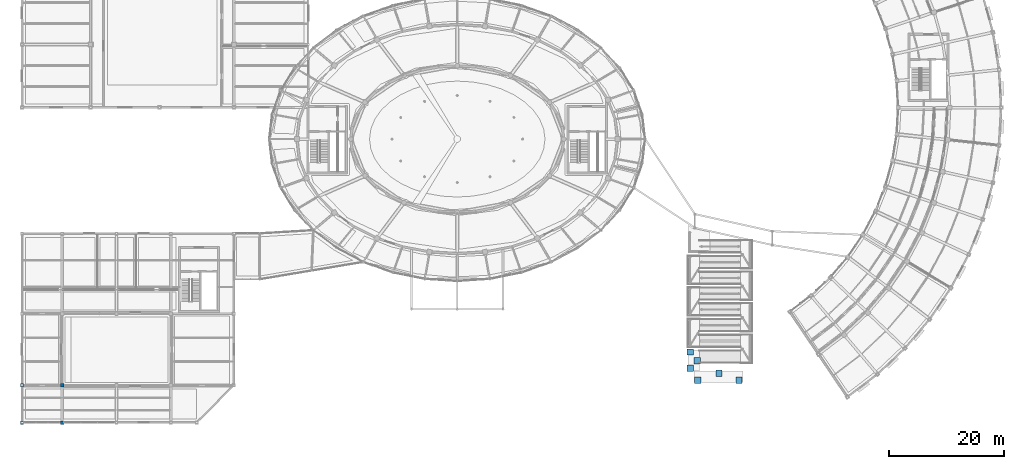
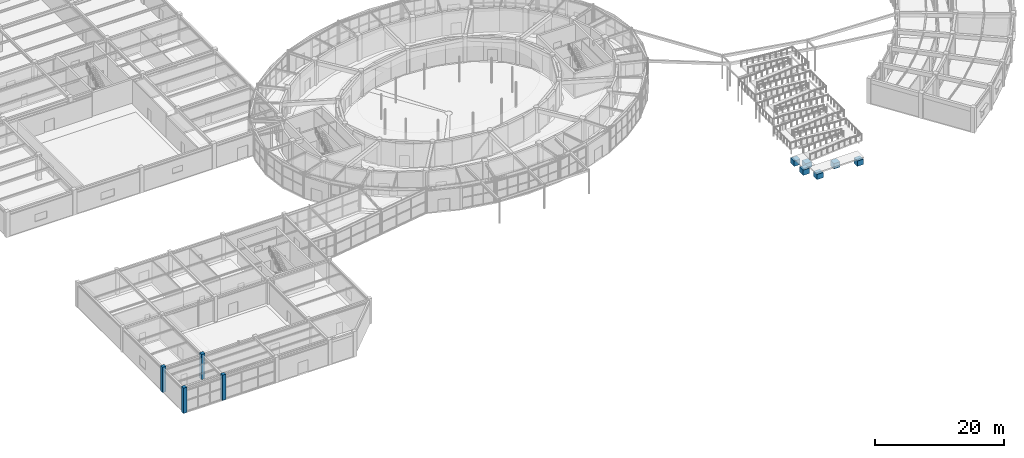
# One storey, part 1 of 108: 6 footings, 4 columns.
"""IFC4 building model written with IfcOpenShell, lengths in metres."""

from ifc_helpers import new_model, si_unit, direction, frame, origin, origin_2d, place, context, subcontext, project, spatial, polyline, rectangle, outline, extrude, material, material_profile, profile_set, type_object, element, save


model = new_model("IFC4")

# Units and contexts
model_context = context("Model", 3, precision=1e-05, world=origin(), true_north=direction((0.0, 1.0)))
body_context = subcontext(model_context, "Body", "Model", "MODEL_VIEW")
ifc_project = project(units=[si_unit("LENGTHUNIT", "METRE"), si_unit("AREAUNIT", "SQUARE_METRE"), si_unit("VOLUMEUNIT", "CUBIC_METRE"), si_unit("PLANEANGLEUNIT", "RADIAN"), si_unit("MASSUNIT", "GRAM", prefix="KILO")], contexts=[model_context])

# Site, building, storey
site_placement = place(None, origin())
site = spatial("IfcSite", under=ifc_project, at=site_placement, CompositionType="ELEMENT")
building_placement = place(site_placement, origin())
building = spatial("IfcBuilding", under=site, at=building_placement, Name="Tarnveldt Headland Concert Hall", CompositionType="ELEMENT")
storey_placement = place(building_placement, origin())
storey = spatial("IfcBuildingStorey", under=building, at=storey_placement, Name="L00", CompositionType="ELEMENT", Elevation=0.0)

# Footings
ifc_material = material(Name="Concrete C40/50", Category="concrete")
footing_type_1 = type_object("IfcFootingType", Name="PF-01", PredefinedType="PAD_FOOTING", material=ifc_material)
footing_1_placement = place(storey_placement, frame((0.0, 0.0, -1.25)))
element("IfcFooting", 1, at=footing_1_placement, inside=storey, type_object=footing_type_1, Name="Ramp ground landing pad 1", PredefinedType="PAD_FOOTING", context=body_context, shape_type="SweptSolid", body=[
    extrude(outline(polyline([(126.050048828125, 11.85009765625), (126.050048828125, 12.949951171875), (124.949951171875, 12.949951171875), (124.949951171875, 11.85009765625), (126.050048828125, 11.85009765625)])), origin(), (0.0, 0.0, 1.0), 1.0),
])
footing_2_placement = place(storey_placement, frame((0.0, 0.0, -1.25)))
element("IfcFooting", 2, at=footing_2_placement, inside=storey, type_object=footing_type_1, Name="Ramp ground landing pad 3", PredefinedType="PAD_FOOTING", context=body_context, shape_type="SweptSolid", body=[
    extrude(outline(polyline([(133.25, 11.85009765625), (133.25, 12.949951171875), (132.14990234375, 12.949951171875), (132.14990234375, 11.85009765625), (133.25, 11.85009765625)])), origin(), (0.0, 0.0, 1.0), 1.0),
])
footing_3_placement = place(storey_placement, frame((0.0, 0.0, -1.25)))
element("IfcFooting", 3, at=footing_3_placement, inside=storey, type_object=footing_type_1, Name="Ramp ground landing pad 4", PredefinedType="PAD_FOOTING", context=body_context, shape_type="SweptSolid", body=[
    extrude(outline(polyline([(124.75, 13.949951171875), (124.75, 15.050048828125), (123.64990234375, 15.050048828125), (123.64990234375, 13.949951171875), (124.75, 13.949951171875)])), origin(), (0.0, 0.0, 1.0), 1.0),
])
footing_4_placement = place(storey_placement, frame((0.0, 0.0, -1.25)))
element("IfcFooting", 4, at=footing_4_placement, inside=storey, type_object=footing_type_1, Name="Ramp ground landing pad 5", PredefinedType="PAD_FOOTING", context=body_context, shape_type="SweptSolid", body=[
    extrude(outline(polyline([(125.949951171875, 15.25), (125.949951171875, 16.35009765625), (124.85009765625, 16.35009765625), (124.85009765625, 15.25), (125.949951171875, 15.25)])), origin(), (0.0, 0.0, 1.0), 1.0),
])
footing_5_placement = place(storey_placement, frame((0.0, 0.0, -1.25)))
element("IfcFooting", 5, at=footing_5_placement, inside=storey, type_object=footing_type_1, Name="Ramp ground landing pad 6", PredefinedType="PAD_FOOTING", context=body_context, shape_type="SweptSolid", body=[
    extrude(outline(polyline([(124.75, 16.75), (124.75, 17.85009765625), (123.64990234375, 17.85009765625), (123.64990234375, 16.75), (124.75, 16.75)])), origin(), (0.0, 0.0, 1.0), 1.0),
])
footing_type_2 = type_object("IfcFootingType", Name="PF-02", PredefinedType="PAD_FOOTING", material=ifc_material)
footing_6_placement = place(storey_placement, frame((0.0, 0.0, -1.25)))
element("IfcFooting", 6, at=footing_6_placement, inside=storey, type_object=footing_type_2, Name="Ramp ground landing pad 2", PredefinedType="PAD_FOOTING", context=body_context, shape_type="SweptSolid", body=[
    extrude(outline(polyline([(129.75, 13.050048828125), (129.75, 14.14990234375), (128.64990234375, 14.14990234375), (128.64990234375, 13.050048828125), (129.75, 13.050048828125)])), origin(), (0.0, 0.0, 1.0), 1.0),
])

# Columns
ifc_material_profile = material_profile(ifc_material, rectangle(XDim=0.60009765625, YDim=0.60009765625, at=origin_2d()), Name="RC 600x600", Category="concrete")
ifc_profile_set = profile_set([ifc_material_profile], Name="Concrete C40/50")
column_type = type_object("IfcColumnType", Name="CC-600", PredefinedType="COLUMN", material=ifc_profile_set)
for number, where, z_axis, x_axis, name in (
    (7, (7.5, 5.0, 0.0), (0.0, 0.0, 1.0), (1.0, 0.0, 0.0), "Column V4C01 L00"),
    (8, (14.5, 5.0, 0.0), (0.0, 0.0, 1.0), (1.0, 0.0, 0.0), "Column V4C02 L00"),
    (9, (7.5, 11.5, 0.0), (0.0, 0.0, 1.0), (1.0, 0.0, 0.0), "Column V4C14 L00"),
    (10, (14.5, 11.5, 0.0), (0.0, 0.0, 1.0), (1.0, 0.0, 0.0), "Column V4C15 L00"),
):
    element("IfcColumn", number, at=place(storey_placement, frame(where, z_axis=z_axis, x_axis=x_axis)), inside=storey, type_object=column_type, Name=name, PredefinedType="COLUMN", context=body_context, shape_type="SweptSolid", body=[
        extrude(rectangle(XDim=0.60009765625, YDim=0.60009765625, at=origin_2d()), origin(), (0.0, 0.0, 1.0), 4.800048828125),
    ])

save(model, "model.ifc")
